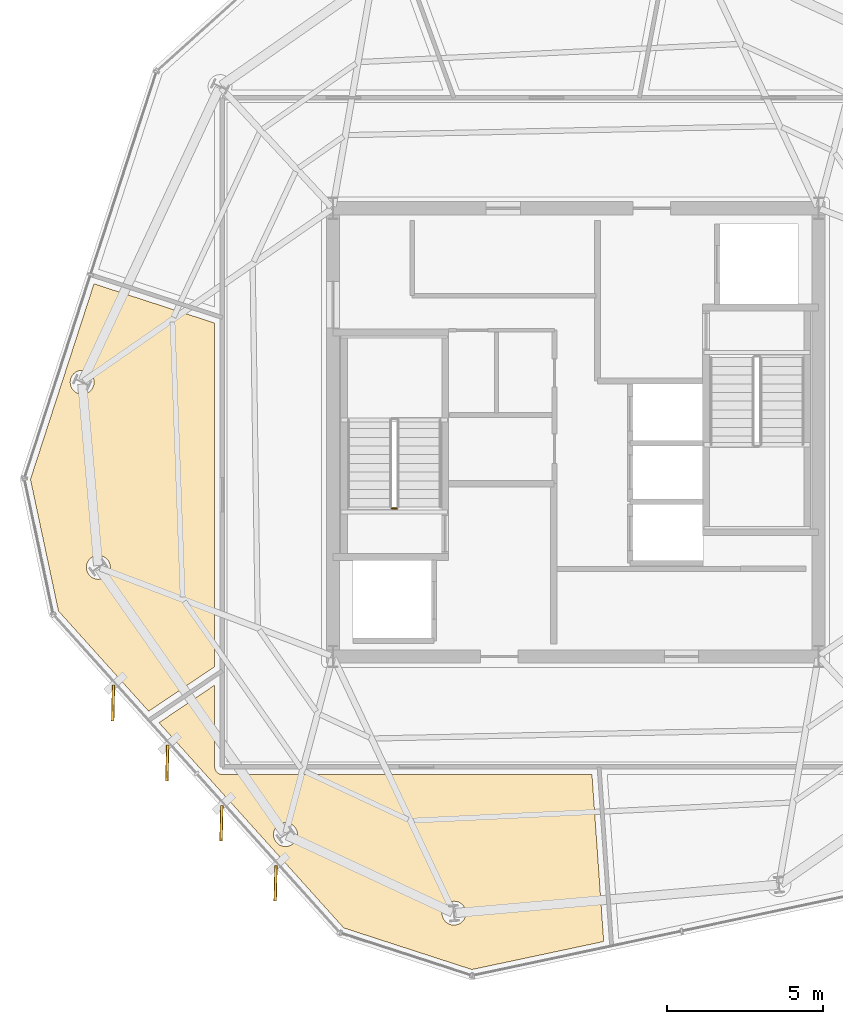
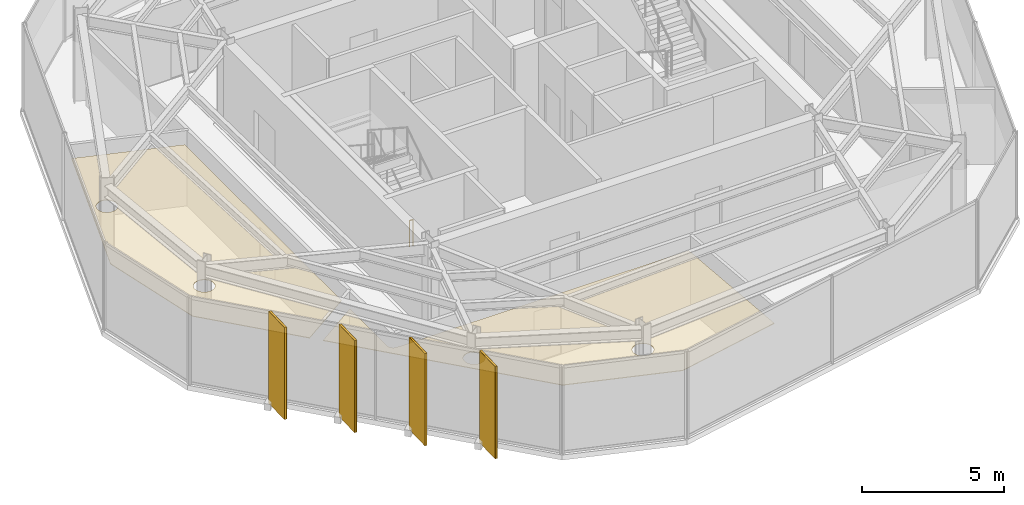
# One storey, part 10 of 13: 6 coverings, 4 shading devices, 1 railing.
"""IFC4 building model written with IfcOpenShell, lengths in metres."""

from ifc_helpers import new_model, si_unit, direction, frame, origin, origin_2d, place, context, subcontext, project, spatial, polyline, rectangle, circle, outline, extrude, material, layer, layer_set, type_object, element, save


model = new_model("IFC4")

# Units and contexts
model_context = context("Model", 3, precision=1e-05, world=origin(), true_north=direction((0.0, 1.0)))
body_context = subcontext(model_context, "Body", "Model", "MODEL_VIEW")
ifc_project = project(units=[si_unit("LENGTHUNIT", "METRE"), si_unit("AREAUNIT", "SQUARE_METRE"), si_unit("VOLUMEUNIT", "CUBIC_METRE"), si_unit("PLANEANGLEUNIT", "RADIAN"), si_unit("MASSUNIT", "GRAM", prefix="KILO")], contexts=[model_context])

# Site, building, storey
site_placement = place(None, origin())
site = spatial("IfcSite", under=ifc_project, at=site_placement, CompositionType="ELEMENT")
building_placement = place(site_placement, origin())
building = spatial("IfcBuilding", under=site, at=building_placement, Name="Kranzbogen Civic Tower", CompositionType="ELEMENT")
storey_placement = place(building_placement, frame((0.0, 0.0, 314.199951171875)))
storey = spatial("IfcBuildingStorey", under=building, at=storey_placement, Name="L76", CompositionType="ELEMENT", Elevation=314.199951171875)

# Coverings
ifc_material_1 = material(Name="Pale Anodised Aluminium", Category="aluminium")
ifc_layer_1 = layer(ifc_material_1, 0.02490234375, Name="Pale Anodised Aluminium")
ifc_layer_set_1 = layer_set([ifc_layer_1], Name="Pale Anodised Aluminium")
covering_type_1 = type_object("IfcCoveringType", Name="Anodised Aluminium Vertical Fin Cladding 25 mm", PredefinedType="CLADDING", material=ifc_layer_set_1)
for number, where, z_axis, x_axis, name in (
    (1, (10.139892578125, 16.304931640625, -0.139892578125), (0.0, 0.0, 1.0), (-0.022949064795, -0.999736635532, 0.0), "L76 vertical fin pale-metal cladding F3-1"),
    (2, (11.8798828125, 14.373046875, -0.139892578125), (0.0, 0.0, 1.0), (-0.022949064795, -0.999736635532, 0.0), "L76 vertical fin pale-metal cladding F3-2"),
    (3, (13.6201171875, 12.44091796875, -0.139892578125), (0.0, 0.0, 1.0), (-0.022949064795, -0.999736635532, 0.0), "L76 vertical fin pale-metal cladding F3-3"),
    (4, (15.360107421875, 10.509033203125, -0.139892578125), (0.0, 0.0, 1.0), (-0.022949064795, -0.999736635532, 0.0), "L76 vertical fin pale-metal cladding F3-4"),
):
    element("IfcCovering", number, at=place(storey_placement, frame(where, z_axis=z_axis, x_axis=x_axis)), inside=storey, type_object=covering_type_1, Name=name, PredefinedType="CLADDING", context=body_context, shape_type="SweptSolid", body=[
        extrude(rectangle(XDim=1.14990234375, YDim=0.094970703125, at=origin_2d()), origin(), (0.0, 0.0, 1.0), 3.9599609375),
    ])

# Railing
ifc_material_2 = material(Name="Steel S355", Category="steel")
railing_type = type_object("IfcRailingType", Name="Internal Stair and Void Steel Guardrail 1150", PredefinedType="GUARDRAIL", material=ifc_material_2)
railing_placement = place(storey_placement, frame((19.25, 22.550048828125, 0.0)))
element("IfcRailing", 5, at=railing_placement, inside=storey, type_object=railing_type, Name="L76 ST-T1 stair guard 4", PredefinedType="GUARDRAIL", context=body_context, shape_type="SweptSolid", body=[
    extrude(circle(Radius=0.02392578125, at=origin_2d()), frame((0.0, 0.0, 1.1259765625), z_axis=(-1.0, 0.0, 0.0), x_axis=(0.0, -1.0, 0.0)), (0.0, 0.0, 1.0), 0.14990234375),
    extrude(circle(Radius=0.02099609375, at=origin_2d()), origin(), (0.0, 0.0, 1.0), 1.101806640625),
    extrude(circle(Radius=0.02099609375, at=origin_2d()), frame((-0.14990234375, 0.0, 0.0)), (0.0, 0.0, 1.0), 1.101806640625),
])

# Shading devices
shading_device_type = type_object("IfcShadingDeviceType", Name="Pale Anodised Aluminium Crown Fin 1150x75", PredefinedType="USERDEFINED", material=ifc_material_1)
for number, where, z_axis, x_axis, name in (
    (6, (10.139892578125, 16.304931640625, -0.139892578125), (0.0, 0.0, 1.0), (-0.022949064795, -0.999736635532, 0.0), "L76 vertical exterior shading fin F3-1"),
    (7, (11.8798828125, 14.373046875, -0.139892578125), (0.0, 0.0, 1.0), (-0.022949064795, -0.999736635532, 0.0), "L76 vertical exterior shading fin F3-2"),
    (8, (13.6201171875, 12.44091796875, -0.139892578125), (0.0, 0.0, 1.0), (-0.022949064795, -0.999736635532, 0.0), "L76 vertical exterior shading fin F3-3"),
    (9, (15.360107421875, 10.509033203125, -0.139892578125), (0.0, 0.0, 1.0), (-0.022949064795, -0.999736635532, 0.0), "L76 vertical exterior shading fin F3-4"),
):
    element("IfcShadingDevice", number, at=place(storey_placement, frame(where, z_axis=z_axis, x_axis=x_axis)), inside=storey, type_object=shading_device_type, Name=name, ObjectType="FIN", PredefinedType="USERDEFINED", context=body_context, shape_type="SweptSolid", body=[
        extrude(rectangle(XDim=1.14990234375, YDim=0.074951171875, at=origin_2d()), origin(), (0.0, 0.0, 1.0), 3.9599609375),
    ])

# Coverings
ifc_material_3 = material(Name="Perforated Acoustic Gypsum Ceiling")
ifc_layer_2 = layer(ifc_material_3, 0.02490234375, Name="Perforated Acoustic Gypsum Ceiling")
ifc_layer_set_2 = layer_set([ifc_layer_2], Name="Perforated Acoustic Gypsum Ceiling")
covering_type_2 = type_object("IfcCoveringType", Name="Perforated Acoustic Mineral Ceiling Tile 25 mm", PredefinedType="CEILING", material=ifc_layer_set_2)
covering_1_placement = place(storey_placement, frame((0.0, 0.0, 2.75)))
element("IfcCovering", 10, at=covering_1_placement, inside=storey, type_object=covering_type_2, Name="L76 Operations Security Control Room acoustic ceiling", PredefinedType="CEILING", context=body_context, shape_type="SweptSolid", body=[
    extrude(outline(polyline([(7.48388671875, 23.488037109375), (9.52490234375, 29.77099609375), (13.405029296875, 28.510009765625), (13.405029296875, 17.470947265625), (11.281982421875, 16.0380859375), (8.384033203125, 19.257080078125), (7.48388671875, 23.488037109375)]), holes=[polyline([(10.02001953125, 20.513916015625), (10.00390625, 20.47998046875), (9.985107421875, 20.447998046875), (9.9619140625, 20.41796875), (9.93701171875, 20.389892578125), (9.908935546875, 20.364990234375), (9.87890625, 20.342041015625), (9.846923828125, 20.322998046875), (9.81298828125, 20.306884765625), (9.777099609375, 20.2939453125), (9.740966796875, 20.284912109375), (9.7041015625, 20.279052734375), (9.666015625, 20.278076171875), (9.6279296875, 20.279052734375), (9.591064453125, 20.284912109375), (9.554931640625, 20.2939453125), (9.51904296875, 20.306884765625), (9.485107421875, 20.322998046875), (9.452880859375, 20.342041015625), (9.423095703125, 20.364990234375), (9.39501953125, 20.389892578125), (9.3701171875, 20.41796875), (9.346923828125, 20.447998046875), (9.327880859375, 20.47998046875), (9.31201171875, 20.513916015625), (9.299072265625, 20.550048828125), (9.2900390625, 20.5859375), (9.283935546875, 20.623046875), (9.282958984375, 20.660888671875), (9.283935546875, 20.698974609375), (9.2900390625, 20.736083984375), (9.299072265625, 20.77197265625), (9.31201171875, 20.80810546875), (9.327880859375, 20.842041015625), (9.346923828125, 20.8740234375), (9.3701171875, 20.904052734375), (9.39501953125, 20.931884765625), (9.423095703125, 20.95703125), (9.452880859375, 20.97998046875), (9.485107421875, 20.9990234375), (9.51904296875, 21.014892578125), (9.554931640625, 21.028076171875), (9.591064453125, 21.037109375), (9.6279296875, 21.04296875), (9.666015625, 21.0439453125), (9.7041015625, 21.04296875), (9.740966796875, 21.037109375), (9.777099609375, 21.028076171875), (9.81298828125, 21.014892578125), (9.846923828125, 20.9990234375), (9.87890625, 20.97998046875), (9.908935546875, 20.95703125), (9.93701171875, 20.931884765625), (9.9619140625, 20.904052734375), (9.985107421875, 20.8740234375), (10.00390625, 20.842041015625), (10.02001953125, 20.80810546875), (10.032958984375, 20.77197265625), (10.0419921875, 20.736083984375), (10.048095703125, 20.698974609375), (10.049072265625, 20.660888671875), (10.048095703125, 20.623046875), (10.0419921875, 20.5859375), (10.032958984375, 20.550048828125), (10.02001953125, 20.513916015625)]), polyline([(9.4990234375, 26.462890625), (9.48291015625, 26.428955078125), (9.464111328125, 26.39697265625), (9.44091796875, 26.366943359375), (9.416015625, 26.339111328125), (9.387939453125, 26.31396484375), (9.35791015625, 26.291015625), (9.325927734375, 26.27197265625), (9.2919921875, 26.256103515625), (9.256103515625, 26.242919921875), (9.219970703125, 26.23388671875), (9.18310546875, 26.22802734375), (9.14501953125, 26.22705078125), (9.10693359375, 26.22802734375), (9.070068359375, 26.23388671875), (9.033935546875, 26.242919921875), (8.998046875, 26.256103515625), (8.964111328125, 26.27197265625), (8.931884765625, 26.291015625), (8.902099609375, 26.31396484375), (8.8740234375, 26.339111328125), (8.84912109375, 26.366943359375), (8.825927734375, 26.39697265625), (8.806884765625, 26.428955078125), (8.791015625, 26.462890625), (8.778076171875, 26.4990234375), (8.76904296875, 26.534912109375), (8.762939453125, 26.572021484375), (8.761962890625, 26.610107421875), (8.762939453125, 26.64794921875), (8.76904296875, 26.68505859375), (8.778076171875, 26.720947265625), (8.791015625, 26.757080078125), (8.806884765625, 26.791015625), (8.825927734375, 26.822998046875), (8.84912109375, 26.85302734375), (8.8740234375, 26.881103515625), (8.902099609375, 26.906005859375), (8.931884765625, 26.928955078125), (8.964111328125, 26.947998046875), (8.998046875, 26.964111328125), (9.033935546875, 26.97705078125), (9.070068359375, 26.986083984375), (9.10693359375, 26.991943359375), (9.14501953125, 26.992919921875), (9.18310546875, 26.991943359375), (9.219970703125, 26.986083984375), (9.256103515625, 26.97705078125), (9.2919921875, 26.964111328125), (9.325927734375, 26.947998046875), (9.35791015625, 26.928955078125), (9.387939453125, 26.906005859375), (9.416015625, 26.881103515625), (9.44091796875, 26.85302734375), (9.464111328125, 26.822998046875), (9.48291015625, 26.791015625), (9.4990234375, 26.757080078125), (9.511962890625, 26.720947265625), (9.52099609375, 26.68505859375), (9.527099609375, 26.64794921875), (9.528076171875, 26.610107421875), (9.527099609375, 26.572021484375), (9.52099609375, 26.534912109375), (9.511962890625, 26.4990234375), (9.4990234375, 26.462890625)])]), origin(), (0.0, 0.0, 1.0), 0.025146484375),
])
covering_2_placement = place(storey_placement, frame((0.0, 0.0, 2.75)))
element("IfcCovering", 11, at=covering_2_placement, inside=storey, type_object=covering_type_2, Name="L76 Central Mail Post Room acoustic ceiling", PredefinedType="CEILING", context=body_context, shape_type="SweptSolid", body=[
    extrude(outline(polyline([(17.551025390625, 9.074951171875), (11.613037109375, 15.669921875), (13.405029296875, 16.87890625), (13.405029296875, 14.25), (13.405029296875, 14.240966796875), (13.406005859375, 14.235107421875), (13.406982421875, 14.217041015625), (13.407958984375, 14.2109375), (13.412109375, 14.194091796875), (13.4130859375, 14.18701171875), (13.41796875, 14.169921875), (13.419921875, 14.1640625), (13.427001953125, 14.14794921875), (13.429931640625, 14.14208984375), (13.43798828125, 14.126953125), (13.44189453125, 14.12109375), (13.450927734375, 14.10693359375), (13.455078125, 14.10205078125), (13.466064453125, 14.087890625), (13.470947265625, 14.0830078125), (13.48291015625, 14.071044921875), (13.488037109375, 14.06591796875), (13.501953125, 14.054931640625), (13.507080078125, 14.051025390625), (13.52099609375, 14.0419921875), (13.527099609375, 14.0380859375), (13.5419921875, 14.030029296875), (13.548095703125, 14.027099609375), (13.56396484375, 14.02001953125), (13.570068359375, 14.01806640625), (13.5869140625, 14.012939453125), (13.593994140625, 14.011962890625), (13.611083984375, 14.008056640625), (13.616943359375, 14.007080078125), (13.635009765625, 14.006103515625), (13.64111328125, 14.0048828125), (13.64990234375, 14.0048828125), (25.52587890625, 14.0048828125), (25.903076171875, 8.638916015625), (21.666015625, 7.738037109375), (17.551025390625, 9.074951171875)]), holes=[polyline([(21.445068359375, 9.403076171875), (21.428955078125, 9.368896484375), (21.409912109375, 9.3369140625), (21.386962890625, 9.306884765625), (21.362060546875, 9.279052734375), (21.333984375, 9.25390625), (21.303955078125, 9.23095703125), (21.27197265625, 9.2119140625), (21.238037109375, 9.196044921875), (21.201904296875, 9.18310546875), (21.166015625, 9.174072265625), (21.12890625, 9.16796875), (21.091064453125, 9.1669921875), (21.052978515625, 9.16796875), (21.01611328125, 9.174072265625), (20.97998046875, 9.18310546875), (20.944091796875, 9.196044921875), (20.909912109375, 9.2119140625), (20.8779296875, 9.23095703125), (20.847900390625, 9.25390625), (20.820068359375, 9.279052734375), (20.794921875, 9.306884765625), (20.77197265625, 9.3369140625), (20.7529296875, 9.368896484375), (20.737060546875, 9.403076171875), (20.72412109375, 9.43896484375), (20.715087890625, 9.47509765625), (20.708984375, 9.511962890625), (20.7080078125, 9.550048828125), (20.708984375, 9.587890625), (20.715087890625, 9.625), (20.72412109375, 9.660888671875), (20.737060546875, 9.697021484375), (20.7529296875, 9.73095703125), (20.77197265625, 9.762939453125), (20.794921875, 9.79296875), (20.820068359375, 9.821044921875), (20.847900390625, 9.845947265625), (20.8779296875, 9.868896484375), (20.909912109375, 9.887939453125), (20.944091796875, 9.904052734375), (20.97998046875, 9.9169921875), (21.01611328125, 9.926025390625), (21.052978515625, 9.931884765625), (21.091064453125, 9.93310546875), (21.12890625, 9.931884765625), (21.166015625, 9.926025390625), (21.201904296875, 9.9169921875), (21.238037109375, 9.904052734375), (21.27197265625, 9.887939453125), (21.303955078125, 9.868896484375), (21.333984375, 9.845947265625), (21.362060546875, 9.821044921875), (21.386962890625, 9.79296875), (21.409912109375, 9.762939453125), (21.428955078125, 9.73095703125), (21.445068359375, 9.697021484375), (21.4580078125, 9.660888671875), (21.467041015625, 9.625), (21.472900390625, 9.587890625), (21.47412109375, 9.550048828125), (21.472900390625, 9.511962890625), (21.467041015625, 9.47509765625), (21.4580078125, 9.43896484375), (21.445068359375, 9.403076171875)]), polyline([(16.031982421875, 11.927001953125), (16.01611328125, 11.89306640625), (15.9970703125, 11.861083984375), (15.97412109375, 11.8310546875), (15.948974609375, 11.802978515625), (15.9208984375, 11.778076171875), (15.89111328125, 11.7548828125), (15.85888671875, 11.736083984375), (15.824951171875, 11.719970703125), (15.7890625, 11.70703125), (15.7529296875, 11.697998046875), (15.716064453125, 11.69189453125), (15.677978515625, 11.69091796875), (15.639892578125, 11.69189453125), (15.60302734375, 11.697998046875), (15.56689453125, 11.70703125), (15.531005859375, 11.719970703125), (15.4970703125, 11.736083984375), (15.465087890625, 11.7548828125), (15.43505859375, 11.778076171875), (15.406982421875, 11.802978515625), (15.382080078125, 11.8310546875), (15.35888671875, 11.861083984375), (15.340087890625, 11.89306640625), (15.323974609375, 11.927001953125), (15.31103515625, 11.962890625), (15.302001953125, 11.9990234375), (15.2958984375, 12.035888671875), (15.294921875, 12.073974609375), (15.2958984375, 12.112060546875), (15.302001953125, 12.14892578125), (15.31103515625, 12.18505859375), (15.323974609375, 12.220947265625), (15.340087890625, 12.2548828125), (15.35888671875, 12.287109375), (15.382080078125, 12.31689453125), (15.406982421875, 12.344970703125), (15.43505859375, 12.3701171875), (15.465087890625, 12.39306640625), (15.4970703125, 12.412109375), (15.531005859375, 12.427978515625), (15.56689453125, 12.44091796875), (15.60302734375, 12.449951171875), (15.639892578125, 12.4560546875), (15.677978515625, 12.45703125), (15.716064453125, 12.4560546875), (15.7529296875, 12.449951171875), (15.7890625, 12.44091796875), (15.824951171875, 12.427978515625), (15.85888671875, 12.412109375), (15.89111328125, 12.39306640625), (15.9208984375, 12.3701171875), (15.948974609375, 12.344970703125), (15.97412109375, 12.31689453125), (15.9970703125, 12.287109375), (16.01611328125, 12.2548828125), (16.031982421875, 12.220947265625), (16.044921875, 12.18505859375), (16.053955078125, 12.14892578125), (16.06005859375, 12.112060546875), (16.06103515625, 12.073974609375), (16.06005859375, 12.035888671875), (16.053955078125, 11.9990234375), (16.044921875, 11.962890625), (16.031982421875, 11.927001953125)])]), origin(), (0.0, 0.0, 1.0), 0.025146484375),
])

save(model, "model.ifc")
